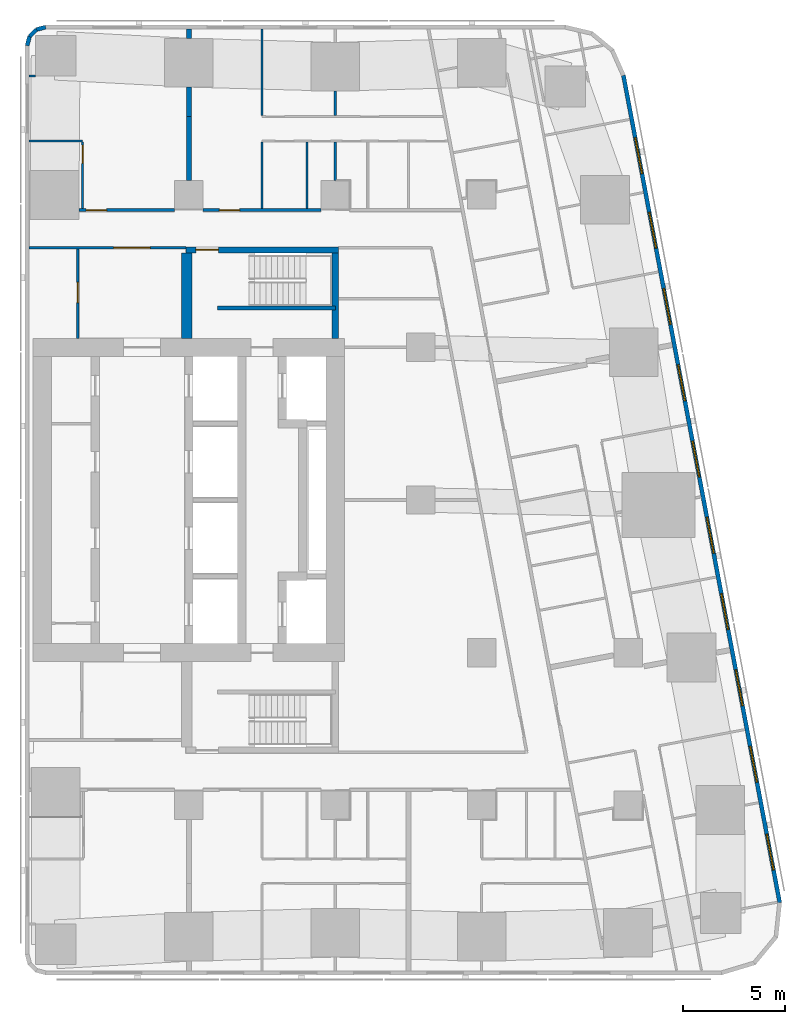
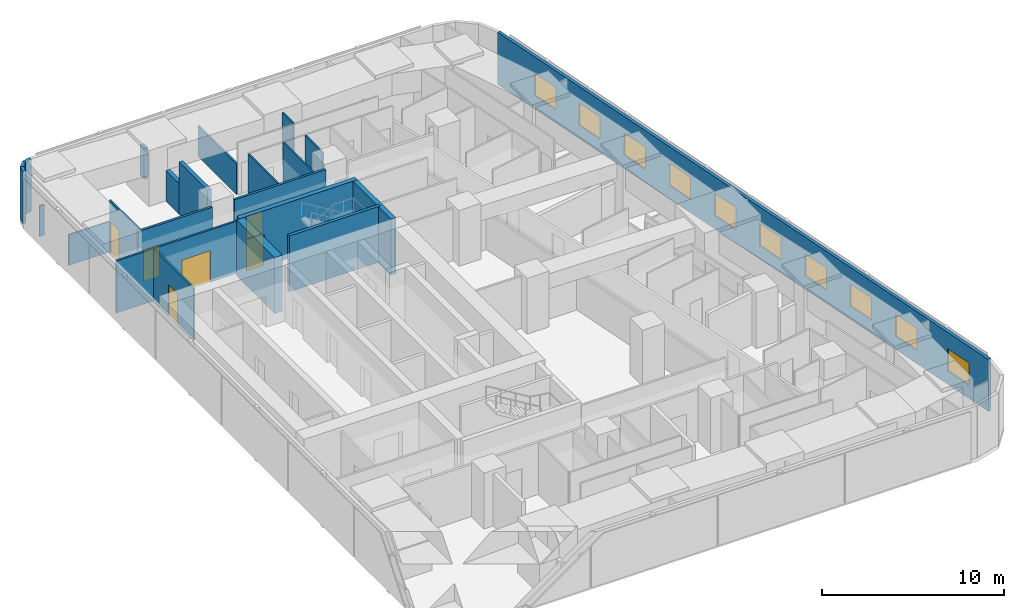
# One storey, part 6 of 10: 23 walls, 10 windows, 6 doors, 16 openings.
"""IFC4 building model written with IfcOpenShell, lengths in metres."""

from ifc_helpers import new_model, si_unit, direction, frame, frame_2d, origin, place, context, subcontext, project, spatial, rectangle, extrude, material, layer, layer_set, type_object, element, fill, save


model = new_model("IFC4")

# Units and contexts
model_context = context("Model", 3, precision=1e-05, world=origin(), true_north=direction((0.0, 1.0)))
body_context = subcontext(model_context, "Body", "Model", "MODEL_VIEW")
ifc_project = project(units=[si_unit("LENGTHUNIT", "METRE"), si_unit("AREAUNIT", "SQUARE_METRE"), si_unit("VOLUMEUNIT", "CUBIC_METRE"), si_unit("PLANEANGLEUNIT", "RADIAN"), si_unit("MASSUNIT", "GRAM", prefix="KILO")], contexts=[model_context])

# Site, building, storey
site_placement = place(None, origin())
site = spatial("IfcSite", under=ifc_project, at=site_placement, CompositionType="ELEMENT")
building_placement = place(site_placement, origin())
building = spatial("IfcBuilding", under=site, at=building_placement, Name="Sheger Commons Tower", CompositionType="ELEMENT")
storey_placement = place(building_placement, frame((0.0, 0.0, 234.949951171875)))
storey = spatial("IfcBuildingStorey", under=building, at=storey_placement, Name="L60", CompositionType="ELEMENT", Elevation=234.949951171875)

# Wall, opening, door
ifc_material_1 = material(Name="Hollow concrete block masonry, skimmed both sides", Category="masonry")
ifc_layer_1 = layer(ifc_material_1, 0.14990234375)
ifc_layer_set_1 = layer_set([ifc_layer_1], Name="CORRIDOR WALL 150")
wall_type_1 = type_object("IfcWallType", Name="CORRIDOR WALL 150", PredefinedType="SOLIDWALL", material=ifc_layer_set_1)
wall_1_placement = place(storey_placement, frame((16.200927734375, 36.75, 0.0), z_axis=(0.0, 0.0, 1.0), x_axis=(1.0, 0.0, 0.0)))
wall_1 = element("IfcWall", 1, at=wall_1_placement, inside=storey, type_object=wall_type_1, Name="Corridor wall L60", PredefinedType="SOLIDWALL", context=body_context, shape_type="SweptSolid", body=[
    extrude(rectangle(XDim=4.697998046875, YDim=0.14990234375, at=frame_2d((2.34912109375, 0.0))), origin(), (0.0, 0.0, 1.0), 3.5),
])
opening_1_placement = place(wall_1_placement, frame((0.35302734375, 0.0, 0.0)))
opening_1 = element("IfcOpeningElement", 2, at=opening_1_placement, cuts=wall_1, Name="Opening D1", PredefinedType="OPENING", context=body_context, shape_type="SweptSolid", body=[
    extrude(rectangle(XDim=1.0, YDim=2.10009765625, at=frame_2d((0.5, 1.050048828125))), frame((0.0, 0.0849609375, 0.0), z_axis=(0.0, -1.0, 0.0), x_axis=(1.0, 0.0, 0.0)), (0.0, 0.0, 1.0), 0.169921875),
])
ifc_material_2 = material(Name="Steel door set, fire rated", Category="steel")
door_type_1 = type_object("IfcDoorType", Name="FLAT ENTRANCE DOOR 1000x2100", OperationType="NOTDEFINED", PredefinedType="DOOR", material=ifc_material_2)
door_1_placement = place(opening_1_placement, origin())
door_1 = element("IfcDoor", 3, at=door_1_placement, inside=storey, type_object=door_type_1, Name="Flat entrance door", OperationType="SINGLE_SWING_LEFT", OverallHeight=2.10009765625, OverallWidth=1.0, PredefinedType="DOOR", context=body_context, shape_type="SweptSolid", body=[
    extrude(rectangle(XDim=1.0, YDim=2.10009765625, at=frame_2d((0.5, 1.050048828125))), frame((0.0, 0.02490234375, 0.0), z_axis=(0.0, -1.0, 0.0), x_axis=(1.0, 0.0, 0.0)), (0.0, 0.0, 1.0), 0.050048828125),
])
fill(opening_1, door_1)

wall_2_placement = place(storey_placement, frame((22.301025390625, 36.75, 0.0), z_axis=(0.0, 0.0, 1.0), x_axis=(1.0, 0.0, 0.0)))
wall_2 = element("IfcWall", 4, at=wall_2_placement, inside=storey, type_object=wall_type_1, Name="Corridor wall L60", PredefinedType="SOLIDWALL", context=body_context, shape_type="SweptSolid", body=[
    extrude(rectangle(XDim=5.798095703125, YDim=0.14990234375, at=frame_2d((2.89892578125, 0.0))), origin(), (0.0, 0.0, 1.0), 3.5),
])
opening_2_placement = place(wall_2_placement, frame((0.799072265625, 0.0, 0.0)))
opening_2 = element("IfcOpeningElement", 5, at=opening_2_placement, cuts=wall_2, Name="Opening D1", PredefinedType="OPENING", context=body_context, shape_type="SweptSolid", body=[
    extrude(rectangle(XDim=1.0, YDim=2.10009765625, at=frame_2d((0.5, 1.050048828125))), frame((0.0, 0.0849609375, 0.0), z_axis=(0.0, -1.0, 0.0), x_axis=(1.0, 0.0, 0.0)), (0.0, 0.0, 1.0), 0.169921875),
])
door_2_placement = place(opening_2_placement, origin())
door_2 = element("IfcDoor", 6, at=door_2_placement, inside=storey, type_object=door_type_1, Name="Flat entrance door", OperationType="SINGLE_SWING_LEFT", OverallHeight=2.10009765625, OverallWidth=1.0, PredefinedType="DOOR", context=body_context, shape_type="SweptSolid", body=[
    extrude(rectangle(XDim=1.0, YDim=2.10009765625, at=frame_2d((0.5, 1.050048828125))), frame((0.0, 0.02490234375, 0.0), z_axis=(0.0, -1.0, 0.0), x_axis=(1.0, 0.0, 0.0)), (0.0, 0.0, 1.0), 0.050048828125),
])
fill(opening_2, door_2)

# Walls
ifc_material_3 = material(Name="Dense concrete block masonry, plastered both sides (separating wall between flats)", Category="masonry")
ifc_layer_2 = layer(ifc_material_3, 0.25)
ifc_layer_set_2 = layer_set([ifc_layer_2], Name="DEMISING WALL 250")
wall_type_2 = type_object("IfcWallType", Name="DEMISING WALL 250", PredefinedType="SOLIDWALL", material=ifc_layer_set_2)
wall_3_placement = place(storey_placement, frame((21.60009765625, 41.35009765625, 0.0), z_axis=(0.0, 0.0, 1.0), x_axis=(0.0, 1.0, 0.0)))
element("IfcWall", 7, at=wall_3_placement, inside=storey, type_object=wall_type_2, Name="Demising wall L60", PredefinedType="SOLIDWALL", context=body_context, shape_type="SweptSolid", body=[
    extrude(rectangle(XDim=1.448974609375, YDim=0.25, at=frame_2d((0.724609375, 0.0))), origin(), (0.0, 0.0, 1.0), 2.050048828125),
])
wall_4_placement = place(storey_placement, frame((21.60009765625, 45.200927734375, 0.0), z_axis=(0.0, 0.0, 1.0), x_axis=(0.0, 1.0, 0.0)))
element("IfcWall", 8, at=wall_4_placement, inside=storey, type_object=wall_type_2, Name="Demising wall L60", PredefinedType="SOLIDWALL", context=body_context, shape_type="SweptSolid", body=[
    extrude(rectangle(XDim=0.448974609375, YDim=0.25, at=frame_2d((0.224609375, 0.0))), origin(), (0.0, 0.0, 1.0), 2.050048828125),
])
wall_5_placement = place(storey_placement, frame((21.60009765625, 38.200927734375, 0.0), z_axis=(0.0, 0.0, 1.0), x_axis=(0.0, 1.0, 0.0)))
element("IfcWall", 9, at=wall_5_placement, inside=storey, type_object=wall_type_2, Name="Demising wall L60", PredefinedType="SOLIDWALL", context=body_context, shape_type="SweptSolid", body=[
    extrude(rectangle(XDim=3.149169921875, YDim=0.25, at=frame_2d((1.57470703125, 0.0))), origin(), (0.0, 0.0, 1.0), 3.5),
])

# Wall, openings, windows
ifc_material_4 = material(Name="Rendered concrete block masonry, dark grey", Category="masonry")
ifc_layer_3 = layer(ifc_material_4, 0.199951171875)
ifc_layer_set_3 = layer_set([ifc_layer_3], Name="FACADE WALL 200")
wall_type_3 = type_object("IfcWallType", Name="FACADE WALL 200", PredefinedType="SOLIDWALL", material=ifc_layer_set_3)
wall_6_placement = place(storey_placement, frame((50.653076171875, 2.702880859375, 0.0), z_axis=(0.0, 0.0, 1.0), x_axis=(-0.185612026696, 0.982623109613, 0.0)))
wall_6 = element("IfcWall", 10, at=wall_6_placement, inside=storey, type_object=wall_type_3, Name="Facade wall L60", PredefinedType="SOLIDWALL", context=body_context, shape_type="SweptSolid", body=[
    extrude(rectangle(XDim=41.393310546875, YDim=0.199951171875, at=frame_2d((20.69677734375, 0.0))), origin(), (0.0, 0.0, 1.0), 3.5),
])
opening_3_placement = place(wall_6_placement, frame((1.633056640625, 0.0, 0.89990234375)))
opening_3 = element("IfcOpeningElement", 11, at=opening_3_placement, cuts=wall_6, Name="Opening W2", PredefinedType="OPENING", context=body_context, shape_type="SweptSolid", body=[
    extrude(rectangle(XDim=1.800048828125, YDim=1.5, at=frame_2d((0.89990234375, 0.75))), frame((0.0, 0.10986328125, 0.0), z_axis=(0.0, -1.0, 0.0), x_axis=(1.0, 0.0, 0.0)), (0.0, 0.0, 1.0), 0.219970703125),
])
opening_4_placement = place(wall_6_placement, frame((6.031982421875, 0.0, 0.89990234375)))
opening_4 = element("IfcOpeningElement", 12, at=opening_4_placement, cuts=wall_6, Name="Opening W2", PredefinedType="OPENING", context=body_context, shape_type="SweptSolid", body=[
    extrude(rectangle(XDim=1.800048828125, YDim=1.5, at=frame_2d((0.89990234375, 0.75))), frame((0.0, 0.10986328125, 0.0), z_axis=(0.0, -1.0, 0.0), x_axis=(1.0, 0.0, 0.0)), (0.0, 0.0, 1.0), 0.219970703125),
])
opening_5_placement = place(wall_6_placement, frame((9.847900390625, 0.0, 0.89990234375)))
opening_5 = element("IfcOpeningElement", 13, at=opening_5_placement, cuts=wall_6, Name="Opening W2", PredefinedType="OPENING", context=body_context, shape_type="SweptSolid", body=[
    extrude(rectangle(XDim=1.800048828125, YDim=1.5, at=frame_2d((0.89990234375, 0.75))), frame((0.0, 0.10986328125, 0.0), z_axis=(0.0, -1.0, 0.0), x_axis=(1.0, 0.0, 0.0)), (0.0, 0.0, 1.0), 0.219970703125),
])
opening_6_placement = place(wall_6_placement, frame((13.6640625, 0.0, 0.89990234375)))
opening_6 = element("IfcOpeningElement", 14, at=opening_6_placement, cuts=wall_6, Name="Opening W2", PredefinedType="OPENING", context=body_context, shape_type="SweptSolid", body=[
    extrude(rectangle(XDim=1.800048828125, YDim=1.5, at=frame_2d((0.89990234375, 0.75))), frame((0.0, 0.10986328125, 0.0), z_axis=(0.0, -1.0, 0.0), x_axis=(1.0, 0.0, 0.0)), (0.0, 0.0, 1.0), 0.219970703125),
])
opening_7_placement = place(wall_6_placement, frame((17.48095703125, 0.0, 0.89990234375)))
opening_7 = element("IfcOpeningElement", 15, at=opening_7_placement, cuts=wall_6, Name="Opening W2", PredefinedType="OPENING", context=body_context, shape_type="SweptSolid", body=[
    extrude(rectangle(XDim=1.800048828125, YDim=1.5, at=frame_2d((0.89990234375, 0.75))), frame((0.0, 0.10986328125, 0.0), z_axis=(0.0, -1.0, 0.0), x_axis=(1.0, 0.0, 0.0)), (0.0, 0.0, 1.0), 0.219970703125),
])
opening_8_placement = place(wall_6_placement, frame((21.297119140625, 0.0, 0.89990234375)))
opening_8 = element("IfcOpeningElement", 16, at=opening_8_placement, cuts=wall_6, Name="Opening W2", PredefinedType="OPENING", context=body_context, shape_type="SweptSolid", body=[
    extrude(rectangle(XDim=1.800048828125, YDim=1.5, at=frame_2d((0.89990234375, 0.75))), frame((0.0, 0.10986328125, 0.0), z_axis=(0.0, -1.0, 0.0), x_axis=(1.0, 0.0, 0.0)), (0.0, 0.0, 1.0), 0.219970703125),
])
opening_9_placement = place(wall_6_placement, frame((25.113037109375, 0.0, 0.89990234375)))
opening_9 = element("IfcOpeningElement", 17, at=opening_9_placement, cuts=wall_6, Name="Opening W2", PredefinedType="OPENING", context=body_context, shape_type="SweptSolid", body=[
    extrude(rectangle(XDim=1.800048828125, YDim=1.5, at=frame_2d((0.89990234375, 0.75))), frame((0.0, 0.10986328125, 0.0), z_axis=(0.0, -1.0, 0.0), x_axis=(1.0, 0.0, 0.0)), (0.0, 0.0, 1.0), 0.219970703125),
])
opening_10_placement = place(wall_6_placement, frame((28.929931640625, 0.0, 0.89990234375)))
opening_10 = element("IfcOpeningElement", 18, at=opening_10_placement, cuts=wall_6, Name="Opening W2", PredefinedType="OPENING", context=body_context, shape_type="SweptSolid", body=[
    extrude(rectangle(XDim=1.800048828125, YDim=1.5, at=frame_2d((0.89990234375, 0.75))), frame((0.0, 0.10986328125, 0.0), z_axis=(0.0, -1.0, 0.0), x_axis=(1.0, 0.0, 0.0)), (0.0, 0.0, 1.0), 0.219970703125),
])
opening_11_placement = place(wall_6_placement, frame((32.74609375, 0.0, 0.89990234375)))
opening_11 = element("IfcOpeningElement", 19, at=opening_11_placement, cuts=wall_6, Name="Opening W2", PredefinedType="OPENING", context=body_context, shape_type="SweptSolid", body=[
    extrude(rectangle(XDim=1.800048828125, YDim=1.5, at=frame_2d((0.89990234375, 0.75))), frame((0.0, 0.10986328125, 0.0), z_axis=(0.0, -1.0, 0.0), x_axis=(1.0, 0.0, 0.0)), (0.0, 0.0, 1.0), 0.219970703125),
])
opening_12_placement = place(wall_6_placement, frame((36.48095703125, 0.0, 0.89990234375)))
opening_12 = element("IfcOpeningElement", 20, at=opening_12_placement, cuts=wall_6, Name="Opening W2", PredefinedType="OPENING", context=body_context, shape_type="SweptSolid", body=[
    extrude(rectangle(XDim=1.800048828125, YDim=1.5, at=frame_2d((0.89990234375, 0.75))), frame((0.0, 0.10986328125, 0.0), z_axis=(0.0, -1.0, 0.0), x_axis=(1.0, 0.0, 0.0)), (0.0, 0.0, 1.0), 0.219970703125),
])
ifc_material_5 = material(Name="Black aluminium frame, dark tinted double glazing", Category="aluminium")
window_type = type_object("IfcWindowType", Name="WINDOW W2 1800x1500", PartitioningType="SINGLE_PANEL", PredefinedType="WINDOW", material=ifc_material_5)
window_1_placement = place(opening_3_placement, origin())
window_1 = element("IfcWindow", 21, at=window_1_placement, inside=storey, type_object=window_type, Name="Window W2 1800X1500", OverallHeight=1.5, OverallWidth=1.800048828125, PartitioningType="SINGLE_PANEL", PredefinedType="WINDOW", context=body_context, shape_type="SweptSolid", body=[
    extrude(rectangle(XDim=1.800048828125, YDim=1.5, at=frame_2d((0.89990234375, 0.75))), frame((0.0, 0.030029296875, 0.0), z_axis=(0.0, -1.0, 0.0), x_axis=(1.0, 0.0, 0.0)), (0.0, 0.0, 1.0), 0.06005859375),
])
fill(opening_3, window_1)
window_2_placement = place(opening_4_placement, origin())
window_2 = element("IfcWindow", 22, at=window_2_placement, inside=storey, type_object=window_type, Name="Window W2 1800X1500", OverallHeight=1.5, OverallWidth=1.800048828125, PartitioningType="SINGLE_PANEL", PredefinedType="WINDOW", context=body_context, shape_type="SweptSolid", body=[
    extrude(rectangle(XDim=1.800048828125, YDim=1.5, at=frame_2d((0.89990234375, 0.75))), frame((0.0, 0.030029296875, 0.0), z_axis=(0.0, -1.0, 0.0), x_axis=(1.0, 0.0, 0.0)), (0.0, 0.0, 1.0), 0.06005859375),
])
fill(opening_4, window_2)
window_3_placement = place(opening_5_placement, origin())
window_3 = element("IfcWindow", 23, at=window_3_placement, inside=storey, type_object=window_type, Name="Window W2 1800X1500", OverallHeight=1.5, OverallWidth=1.800048828125, PartitioningType="SINGLE_PANEL", PredefinedType="WINDOW", context=body_context, shape_type="SweptSolid", body=[
    extrude(rectangle(XDim=1.800048828125, YDim=1.5, at=frame_2d((0.89990234375, 0.75))), frame((0.0, 0.030029296875, 0.0), z_axis=(0.0, -1.0, 0.0), x_axis=(1.0, 0.0, 0.0)), (0.0, 0.0, 1.0), 0.06005859375),
])
fill(opening_5, window_3)
window_4_placement = place(opening_6_placement, origin())
window_4 = element("IfcWindow", 24, at=window_4_placement, inside=storey, type_object=window_type, Name="Window W2 1800X1500", OverallHeight=1.5, OverallWidth=1.800048828125, PartitioningType="SINGLE_PANEL", PredefinedType="WINDOW", context=body_context, shape_type="SweptSolid", body=[
    extrude(rectangle(XDim=1.800048828125, YDim=1.5, at=frame_2d((0.89990234375, 0.75))), frame((0.0, 0.030029296875, 0.0), z_axis=(0.0, -1.0, 0.0), x_axis=(1.0, 0.0, 0.0)), (0.0, 0.0, 1.0), 0.06005859375),
])
fill(opening_6, window_4)
window_5_placement = place(opening_7_placement, origin())
window_5 = element("IfcWindow", 25, at=window_5_placement, inside=storey, type_object=window_type, Name="Window W2 1800X1500", OverallHeight=1.5, OverallWidth=1.800048828125, PartitioningType="SINGLE_PANEL", PredefinedType="WINDOW", context=body_context, shape_type="SweptSolid", body=[
    extrude(rectangle(XDim=1.800048828125, YDim=1.5, at=frame_2d((0.89990234375, 0.75))), frame((0.0, 0.030029296875, 0.0), z_axis=(0.0, -1.0, 0.0), x_axis=(1.0, 0.0, 0.0)), (0.0, 0.0, 1.0), 0.06005859375),
])
fill(opening_7, window_5)
window_6_placement = place(opening_8_placement, origin())
window_6 = element("IfcWindow", 26, at=window_6_placement, inside=storey, type_object=window_type, Name="Window W2 1800X1500", OverallHeight=1.5, OverallWidth=1.800048828125, PartitioningType="SINGLE_PANEL", PredefinedType="WINDOW", context=body_context, shape_type="SweptSolid", body=[
    extrude(rectangle(XDim=1.800048828125, YDim=1.5, at=frame_2d((0.89990234375, 0.75))), frame((0.0, 0.030029296875, 0.0), z_axis=(0.0, -1.0, 0.0), x_axis=(1.0, 0.0, 0.0)), (0.0, 0.0, 1.0), 0.06005859375),
])
fill(opening_8, window_6)
window_7_placement = place(opening_9_placement, origin())
window_7 = element("IfcWindow", 27, at=window_7_placement, inside=storey, type_object=window_type, Name="Window W2 1800X1500", OverallHeight=1.5, OverallWidth=1.800048828125, PartitioningType="SINGLE_PANEL", PredefinedType="WINDOW", context=body_context, shape_type="SweptSolid", body=[
    extrude(rectangle(XDim=1.800048828125, YDim=1.5, at=frame_2d((0.89990234375, 0.75))), frame((0.0, 0.030029296875, 0.0), z_axis=(0.0, -1.0, 0.0), x_axis=(1.0, 0.0, 0.0)), (0.0, 0.0, 1.0), 0.06005859375),
])
fill(opening_9, window_7)
window_8_placement = place(opening_10_placement, origin())
window_8 = element("IfcWindow", 28, at=window_8_placement, inside=storey, type_object=window_type, Name="Window W2 1800X1500", OverallHeight=1.5, OverallWidth=1.800048828125, PartitioningType="SINGLE_PANEL", PredefinedType="WINDOW", context=body_context, shape_type="SweptSolid", body=[
    extrude(rectangle(XDim=1.800048828125, YDim=1.5, at=frame_2d((0.89990234375, 0.75))), frame((0.0, 0.030029296875, 0.0), z_axis=(0.0, -1.0, 0.0), x_axis=(1.0, 0.0, 0.0)), (0.0, 0.0, 1.0), 0.06005859375),
])
fill(opening_10, window_8)
window_9_placement = place(opening_11_placement, origin())
window_9 = element("IfcWindow", 29, at=window_9_placement, inside=storey, type_object=window_type, Name="Window W2 1800X1500", OverallHeight=1.5, OverallWidth=1.800048828125, PartitioningType="SINGLE_PANEL", PredefinedType="WINDOW", context=body_context, shape_type="SweptSolid", body=[
    extrude(rectangle(XDim=1.800048828125, YDim=1.5, at=frame_2d((0.89990234375, 0.75))), frame((0.0, 0.030029296875, 0.0), z_axis=(0.0, -1.0, 0.0), x_axis=(1.0, 0.0, 0.0)), (0.0, 0.0, 1.0), 0.06005859375),
])
fill(opening_11, window_9)
window_10_placement = place(opening_12_placement, origin())
window_10 = element("IfcWindow", 30, at=window_10_placement, inside=storey, type_object=window_type, Name="Window W2 1800X1500", OverallHeight=1.5, OverallWidth=1.800048828125, PartitioningType="SINGLE_PANEL", PredefinedType="WINDOW", context=body_context, shape_type="SweptSolid", body=[
    extrude(rectangle(XDim=1.800048828125, YDim=1.5, at=frame_2d((0.89990234375, 0.75))), frame((0.0, 0.030029296875, 0.0), z_axis=(0.0, -1.0, 0.0), x_axis=(1.0, 0.0, 0.0)), (0.0, 0.0, 1.0), 0.06005859375),
])
fill(opening_12, window_10)

# Walls
wall_7_placement = place(storey_placement, frame((14.56298828125, 45.75, 0.0), z_axis=(0.0, 0.0, 1.0), x_axis=(-0.965655254015, -0.259826731483, 0.0)))
element("IfcWall", 31, at=wall_7_placement, inside=storey, type_object=wall_type_3, Name="Facade wall L60", PredefinedType="SOLIDWALL", context=body_context, shape_type="SweptSolid", body=[
    extrude(rectangle(XDim=0.477294921875, YDim=0.199951171875, at=frame_2d((0.23876953125, 0.0))), origin(), (0.0, 0.0, 1.0), 3.5),
])
wall_8_placement = place(storey_placement, frame((14.10205078125, 45.6259765625, 0.0), z_axis=(0.0, 0.0, 1.0), x_axis=(-0.707369890659, -0.706843573776, 0.0)))
element("IfcWall", 32, at=wall_8_placement, inside=storey, type_object=wall_type_3, Name="Facade wall L60", PredefinedType="SOLIDWALL", context=body_context, shape_type="SweptSolid", body=[
    extrude(rectangle(XDim=0.4638671875, YDim=0.199951171875, at=frame_2d((0.23193359375, 0.0))), origin(), (0.0, 0.0, 1.0), 3.5),
])
wall_9_placement = place(storey_placement, frame((13.77392578125, 45.298095703125, 0.0), z_axis=(0.0, 0.0, 1.0), x_axis=(-0.259698463175, -0.965689757751, 0.0)))
element("IfcWall", 33, at=wall_9_placement, inside=storey, type_object=wall_type_3, Name="Facade wall L60", PredefinedType="SOLIDWALL", context=body_context, shape_type="SweptSolid", body=[
    extrude(rectangle(XDim=0.4775390625, YDim=0.199951171875, at=frame_2d((0.23876953125, 0.0))), origin(), (0.0, 0.0, 1.0), 3.5),
])
ifc_material_6 = material(Name="Gypsum board on steel studs", Category="steel")
ifc_layer_4 = layer(ifc_material_6, 0.10009765625)
ifc_layer_set_4 = layer_set([ifc_layer_4], Name="PARTITION 100")
wall_type_4 = type_object("IfcWallType", Name="PARTITION 100", PredefinedType="PARTITIONING", material=ifc_layer_set_4)
wall_10_placement = place(storey_placement, frame((14.053955078125, 43.345947265625, 0.0), z_axis=(0.0, 0.0, 1.0), x_axis=(-1.0, 0.0, 0.0)))
element("IfcWall", 34, at=wall_10_placement, inside=storey, type_object=wall_type_4, Name="Partition L60", PredefinedType="PARTITIONING", context=body_context, shape_type="SweptSolid", body=[
    extrude(rectangle(XDim=0.303955078125, YDim=0.10009765625, at=frame_2d((0.15185546875, 0.0))), origin(), (0.0, 0.0, 1.0), 2.050048828125),
])
wall_11_placement = place(storey_placement, frame((13.75, 40.14990234375, 0.0), z_axis=(0.0, 0.0, 1.0), x_axis=(1.0, 0.0, 0.0)))
element("IfcWall", 35, at=wall_11_placement, inside=storey, type_object=wall_type_4, Name="Partition L60", PredefinedType="PARTITIONING", context=body_context, shape_type="SweptSolid", body=[
    extrude(rectangle(XDim=2.62890625, YDim=0.10009765625, at=frame_2d((1.314453125, 0.0))), origin(), (0.0, 0.0, 1.0), 2.050048828125),
])

# Wall, opening, door
wall_12_placement = place(storey_placement, frame((16.37890625, 36.824951171875, 0.0), z_axis=(0.0, 0.0, 1.0), x_axis=(0.0, 1.0, 0.0)))
wall_12 = element("IfcWall", 36, at=wall_12_placement, inside=storey, type_object=wall_type_4, Name="Partition L60", PredefinedType="PARTITIONING", context=body_context, shape_type="SweptSolid", body=[
    extrude(rectangle(XDim=3.275146484375, YDim=0.10009765625, at=frame_2d((1.6376953125, 0.0))), origin(), (0.0, 0.0, 1.0), 3.5),
])
opening_13_placement = place(wall_12_placement, frame((2.22509765625, 0.0, 0.0)))
opening_13 = element("IfcOpeningElement", 37, at=opening_13_placement, cuts=wall_12, Name="Opening D2", PredefinedType="OPENING", context=body_context, shape_type="SweptSolid", body=[
    extrude(rectangle(XDim=0.89990234375, YDim=2.10009765625, at=frame_2d((0.449951171875, 1.050048828125))), frame((0.0, 0.06005859375, 0.0), z_axis=(0.0, -1.0, 0.0), x_axis=(1.0, 0.0, 0.0)), (0.0, 0.0, 1.0), 0.1201171875),
])
ifc_material_7 = material(Name="Timber door set", Category="wood")
door_type_2 = type_object("IfcDoorType", Name="INTERNAL DOOR 900x2100", OperationType="NOTDEFINED", PredefinedType="DOOR", material=ifc_material_7)
door_3_placement = place(opening_13_placement, origin())
door_3 = element("IfcDoor", 38, at=door_3_placement, inside=storey, type_object=door_type_2, Name="Shower room door", OperationType="SINGLE_SWING_RIGHT", OverallHeight=2.10009765625, OverallWidth=0.89990234375, PredefinedType="DOOR", context=body_context, shape_type="SweptSolid", body=[
    extrude(rectangle(XDim=0.89990234375, YDim=2.10009765625, at=frame_2d((0.449951171875, 1.050048828125))), frame((0.0, 0.02490234375, 0.0), z_axis=(0.0, -1.0, 0.0), x_axis=(1.0, 0.0, 0.0)), (0.0, 0.0, 1.0), 0.050048828125),
])
fill(opening_13, door_3)

# Walls
wall_13_placement = place(storey_placement, frame((25.199951171875, 41.39990234375, 0.0), z_axis=(0.0, 0.0, 1.0), x_axis=(0.0, 1.0, 0.0)))
element("IfcWall", 39, at=wall_13_placement, inside=storey, type_object=wall_type_4, Name="Partition L60", PredefinedType="PARTITIONING", context=body_context, shape_type="SweptSolid", body=[
    extrude(rectangle(XDim=4.25, YDim=0.10009765625, at=frame_2d((2.125, 0.0))), origin(), (0.0, 0.0, 1.0), 2.050048828125),
])
wall_14_placement = place(storey_placement, frame((28.800048828125, 41.39990234375, 0.0), z_axis=(0.0, 0.0, 1.0), x_axis=(0.0, 1.0, 0.0)))
element("IfcWall", 40, at=wall_14_placement, inside=storey, type_object=wall_type_4, Name="Partition L60", PredefinedType="PARTITIONING", context=body_context, shape_type="SweptSolid", body=[
    extrude(rectangle(XDim=1.19921875, YDim=0.10009765625, at=frame_2d((0.599609375, 0.0))), origin(), (0.0, 0.0, 1.0), 3.5),
])
wall_15_placement = place(storey_placement, frame((25.199951171875, 36.824951171875, 0.0), z_axis=(0.0, 0.0, 1.0), x_axis=(0.0, 1.0, 0.0)))
element("IfcWall", 41, at=wall_15_placement, inside=storey, type_object=wall_type_4, Name="Partition L60", PredefinedType="PARTITIONING", context=body_context, shape_type="SweptSolid", body=[
    extrude(rectangle(XDim=3.275146484375, YDim=0.10009765625, at=frame_2d((1.6376953125, 0.0))), origin(), (0.0, 0.0, 1.0), 3.5),
])
wall_16_placement = place(storey_placement, frame((28.800048828125, 38.200927734375, 0.0), z_axis=(0.0, 0.0, 1.0), x_axis=(0.0, 1.0, 0.0)))
element("IfcWall", 42, at=wall_16_placement, inside=storey, type_object=wall_type_4, Name="Partition L60", PredefinedType="PARTITIONING", context=body_context, shape_type="SweptSolid", body=[
    extrude(rectangle(XDim=1.899169921875, YDim=0.10009765625, at=frame_2d((0.94970703125, 0.0))), origin(), (0.0, 0.0, 1.0), 3.5),
])
wall_17_placement = place(storey_placement, frame((27.409912109375, 36.824951171875, 0.0), z_axis=(0.0, 0.0, 1.0), x_axis=(0.0, 1.0, 0.0)))
element("IfcWall", 43, at=wall_17_placement, inside=storey, type_object=wall_type_4, Name="Partition L60", PredefinedType="PARTITIONING", context=body_context, shape_type="SweptSolid", body=[
    extrude(rectangle(XDim=3.275146484375, YDim=0.10009765625, at=frame_2d((1.6376953125, 0.0))), origin(), (0.0, 0.0, 1.0), 3.5),
])

# Wall, opening, door
ifc_material_8 = material(Name="Gypsum board on steel studs, two layers each side, fire rated", Category="steel")
ifc_layer_5 = layer(ifc_material_8, 0.125)
ifc_layer_set_5 = layer_set([ifc_layer_5], Name="SERVICE WALL 125")
wall_type_5 = type_object("IfcWallType", Name="SERVICE WALL 125", PredefinedType="PARTITIONING", material=ifc_layer_set_5)
wall_18_placement = place(storey_placement, frame((13.75, 34.89990234375, 0.0), z_axis=(0.0, 0.0, 1.0), x_axis=(1.0, 0.0, 0.0)))
wall_18 = element("IfcWall", 44, at=wall_18_placement, inside=storey, type_object=wall_type_5, Name="Service room wall L60", PredefinedType="PARTITIONING", context=body_context, shape_type="SweptSolid", body=[
    extrude(rectangle(XDim=7.699951171875, YDim=0.125, at=frame_2d((3.85009765625, 0.0))), origin(), (0.0, 0.0, 1.0), 3.5),
])
opening_14_placement = place(wall_18_placement, frame((4.14990234375, 0.0, 0.0)))
opening_14 = element("IfcOpeningElement", 45, at=opening_14_placement, cuts=wall_18, Name="Opening D6", PredefinedType="OPENING", context=body_context, shape_type="SweptSolid", body=[
    extrude(rectangle(XDim=1.800048828125, YDim=2.10009765625, at=frame_2d((0.89990234375, 1.050048828125))), frame((0.0, 0.072509765625, 0.0), z_axis=(0.0, -1.0, 0.0), x_axis=(1.0, 0.0, 0.0)), (0.0, 0.0, 1.0), 0.14501953125),
])
ifc_material_9 = material(Name="Steel door set, fire rated", Category="steel")
door_type_3 = type_object("IfcDoorType", Name="LOBBY DOUBLE DOOR 1800x2100", OperationType="DOUBLE_DOOR_SINGLE_SWING", PredefinedType="DOOR", material=ifc_material_9)
door_4_placement = place(opening_14_placement, origin())
door_4 = element("IfcDoor", 46, at=door_4_placement, inside=storey, type_object=door_type_3, Name="Lift lobby north door", OperationType="DOUBLE_DOOR_SINGLE_SWING", OverallHeight=2.10009765625, OverallWidth=1.800048828125, PredefinedType="DOOR", context=body_context, shape_type="SweptSolid", body=[
    extrude(rectangle(XDim=1.800048828125, YDim=2.10009765625, at=frame_2d((0.89990234375, 1.050048828125))), frame((0.0, 0.02490234375, 0.0), z_axis=(0.0, -1.0, 0.0), x_axis=(1.0, 0.0, 0.0)), (0.0, 0.0, 1.0), 0.050048828125),
])
fill(opening_14, door_4)

wall_19_placement = place(storey_placement, frame((16.14990234375, 30.449951171875, 0.0), z_axis=(0.0, 0.0, 1.0), x_axis=(0.0, 1.0, 0.0)))
wall_19 = element("IfcWall", 47, at=wall_19_placement, inside=storey, type_object=wall_type_5, Name="Service room wall L60", PredefinedType="PARTITIONING", context=body_context, shape_type="SweptSolid", body=[
    extrude(rectangle(XDim=4.386962890625, YDim=0.125, at=frame_2d((2.193359375, 0.0))), origin(), (0.0, 0.0, 1.0), 3.5),
])
opening_15_placement = place(wall_19_placement, frame((1.75, 0.0, 0.0)))
opening_15 = element("IfcOpeningElement", 48, at=opening_15_placement, cuts=wall_19, Name="Opening D4", PredefinedType="OPENING", context=body_context, shape_type="SweptSolid", body=[
    extrude(rectangle(XDim=1.0, YDim=2.10009765625, at=frame_2d((0.5, 1.050048828125))), frame((0.0, 0.072509765625, 0.0), z_axis=(0.0, -1.0, 0.0), x_axis=(1.0, 0.0, 0.0)), (0.0, 0.0, 1.0), 0.14501953125),
])
ifc_material_10 = material(Name="Steel door set, fire rated", Category="steel")
door_type_4 = type_object("IfcDoorType", Name="SERVICE DOOR 1000x2100", OperationType="NOTDEFINED", PredefinedType="DOOR", material=ifc_material_10)
door_5_placement = place(opening_15_placement, origin())
door_5 = element("IfcDoor", 49, at=door_5_placement, inside=storey, type_object=door_type_4, Name="Telecom room door", OperationType="SINGLE_SWING_RIGHT", OverallHeight=2.10009765625, OverallWidth=1.0, PredefinedType="DOOR", context=body_context, shape_type="SweptSolid", body=[
    extrude(rectangle(XDim=1.0, YDim=2.10009765625, at=frame_2d((0.5, 1.050048828125))), frame((0.0, 0.02490234375, 0.0), z_axis=(0.0, -1.0, 0.0), x_axis=(1.0, 0.0, 0.0)), (0.0, 0.0, 1.0), 0.050048828125),
])
fill(opening_15, door_5)

ifc_material_11 = material(Name="Concrete C50/60", Category="concrete")
ifc_layer_6 = layer(ifc_material_11, 0.300048828125)
ifc_layer_set_6 = layer_set([ifc_layer_6], Name="STAIR CORE WALL 300")
wall_type_6 = type_object("IfcWallType", Name="STAIR CORE WALL 300", PredefinedType="SHEAR", material=ifc_layer_set_6)
wall_20_placement = place(storey_placement, frame((21.449951171875, 34.800048828125, 0.0), z_axis=(0.0, 0.0, 1.0), x_axis=(1.0, 0.0, 0.0)))
wall_20 = element("IfcWall", 50, at=wall_20_placement, inside=storey, type_object=wall_type_6, Name="STW-L60-S2N", PredefinedType="SHEAR", context=body_context, shape_type="SweptSolid", body=[
    extrude(rectangle(XDim=7.5, YDim=0.300048828125, at=frame_2d((3.75, 0.0))), origin(), (0.0, 0.0, 1.0), 3.75),
])
opening_16_placement = place(wall_20_placement, frame((0.5, 0.0, 0.0)))
opening_16 = element("IfcOpeningElement", 51, at=opening_16_placement, cuts=wall_20, Name="Opening D5", PredefinedType="OPENING", context=body_context, shape_type="SweptSolid", body=[
    extrude(rectangle(XDim=1.10009765625, YDim=2.10009765625, at=frame_2d((0.550048828125, 1.050048828125))), frame((0.0, 0.159912109375, 0.0), z_axis=(0.0, -1.0, 0.0), x_axis=(1.0, 0.0, 0.0)), (0.0, 0.0, 1.0), 0.320068359375),
])
ifc_material_12 = material(Name="Steel door set, fire rated", Category="steel")
door_type_5 = type_object("IfcDoorType", Name="STAIR DOOR 1100x2100", OperationType="NOTDEFINED", PredefinedType="DOOR", material=ifc_material_12)
door_6_placement = place(opening_16_placement, origin())
door_6 = element("IfcDoor", 52, at=door_6_placement, inside=storey, type_object=door_type_5, Name="Stair S2 door", OperationType="SINGLE_SWING_RIGHT", OverallHeight=2.10009765625, OverallWidth=1.10009765625, PredefinedType="DOOR", context=body_context, shape_type="SweptSolid", body=[
    extrude(rectangle(XDim=1.10009765625, YDim=2.10009765625, at=frame_2d((0.550048828125, 1.050048828125))), frame((0.0, 0.02490234375, 0.0), z_axis=(0.0, -1.0, 0.0), x_axis=(1.0, 0.0, 0.0)), (0.0, 0.0, 1.0), 0.050048828125),
])
fill(opening_16, door_6)

# Walls
wall_21_placement = place(storey_placement, frame((28.800048828125, 30.449951171875, 0.0), z_axis=(0.0, 0.0, 1.0), x_axis=(0.0, 1.0, 0.0)))
element("IfcWall", 53, at=wall_21_placement, inside=storey, type_object=wall_type_6, Name="STW-L60-S2E", PredefinedType="SHEAR", context=body_context, shape_type="SweptSolid", body=[
    extrude(rectangle(XDim=4.199951171875, YDim=0.300048828125, at=frame_2d((2.10009765625, 0.0))), origin(), (0.0, 0.0, 1.0), 3.75),
])
ifc_material_13 = material(Name="Concrete C50/60", Category="concrete")
ifc_layer_7 = layer(ifc_material_13, 0.5)
ifc_layer_set_7 = layer_set([ifc_layer_7], Name="STAIR CORE WALL 500")
wall_type_7 = type_object("IfcWallType", Name="STAIR CORE WALL 500", PredefinedType="SHEAR", material=ifc_layer_set_7)
wall_22_placement = place(storey_placement, frame((21.5, 30.449951171875, 0.0), z_axis=(0.0, 0.0, 1.0), x_axis=(0.0, 1.0, 0.0)))
element("IfcWall", 54, at=wall_22_placement, inside=storey, type_object=wall_type_7, Name="STW-L60-S2W", PredefinedType="SHEAR", context=body_context, shape_type="SweptSolid", body=[
    extrude(rectangle(XDim=4.199951171875, YDim=0.5, at=frame_2d((2.10009765625, 0.0))), origin(), (0.0, 0.0, 1.0), 3.75),
])
ifc_material_14 = material(Name="Concrete C50/60", Category="concrete")
ifc_layer_8 = layer(ifc_material_14, 0.199951171875)
ifc_layer_set_8 = layer_set([ifc_layer_8], Name="STAIR SPINE WALL 200")
wall_type_8 = type_object("IfcWallType", Name="STAIR SPINE WALL 200", PredefinedType="SHEAR", material=ifc_layer_set_8)
wall_23_placement = place(storey_placement, frame((23.0, 31.949951171875, 0.0), z_axis=(0.0, 0.0, 1.0), x_axis=(1.0, 0.0, 0.0)))
element("IfcWall", 55, at=wall_23_placement, inside=storey, type_object=wall_type_8, Name="Stair spine wall L60", PredefinedType="SHEAR", context=body_context, shape_type="SweptSolid", body=[
    extrude(rectangle(XDim=5.800048828125, YDim=0.199951171875, at=frame_2d((2.89990234375, 0.0))), origin(), (0.0, 0.0, 1.0), 3.75),
])

save(model, "model.ifc")
